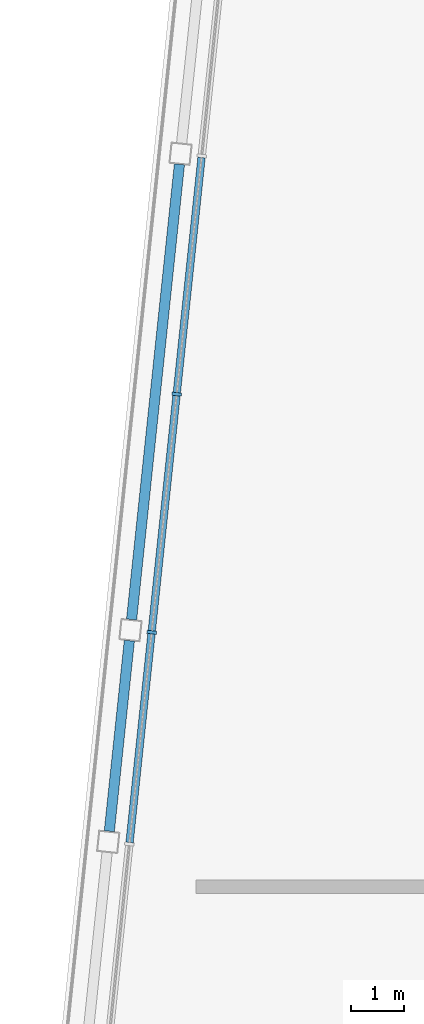
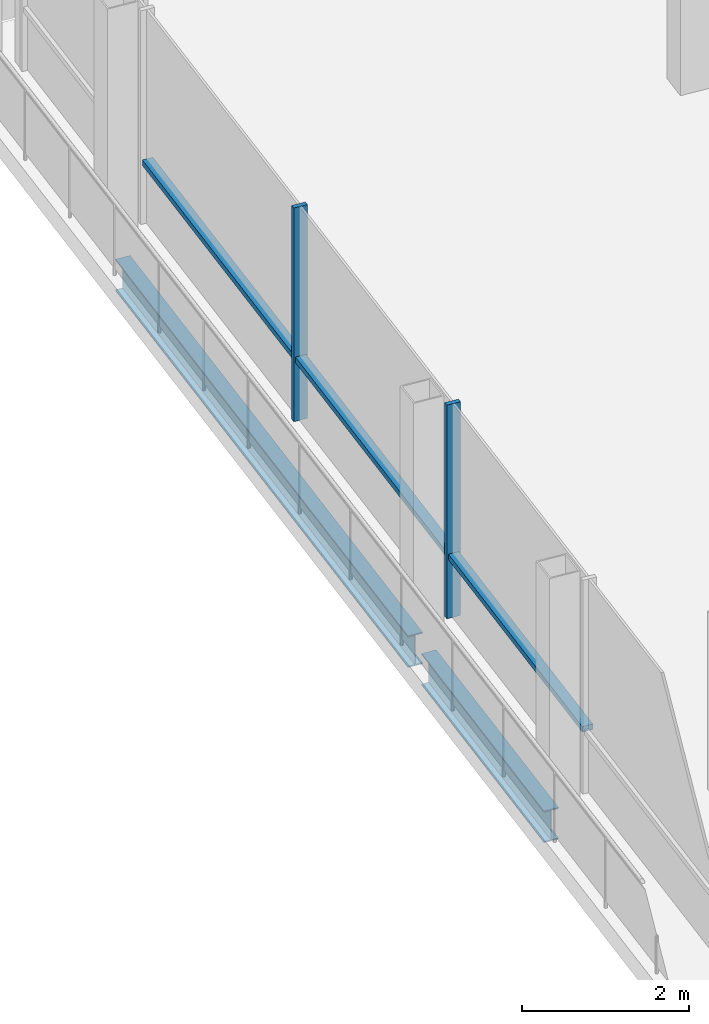
# One storey, part 4 of 15: 5 members, 2 beams, 1 element without a shape of its own.
"""IFC4 building model written with IfcOpenShell, lengths in metres."""

from ifc_helpers import new_model, si_unit, direction, frame, origin, origin_2d, place, context, subcontext, project, spatial, rectangle, i_section, extrude, material, material_profile, profile_set, type_object, element, aggregate, save


model = new_model("IFC4")

# Units and contexts
model_context = context("Model", 3, precision=1e-05, world=origin(), true_north=direction((0.0, 1.0)))
body_context = subcontext(model_context, "Body", "Model", "MODEL_VIEW")
ifc_project = project(units=[si_unit("LENGTHUNIT", "METRE"), si_unit("AREAUNIT", "SQUARE_METRE"), si_unit("VOLUMEUNIT", "CUBIC_METRE"), si_unit("PLANEANGLEUNIT", "RADIAN"), si_unit("MASSUNIT", "GRAM", prefix="KILO")], contexts=[model_context])

# Site, building, storey
site_placement = place(None, origin())
site = spatial("IfcSite", under=ifc_project, at=site_placement, CompositionType="ELEMENT")
building_placement = place(site_placement, origin())
building = spatial("IfcBuilding", under=site, at=building_placement, Name="Vidyagriha Tower", CompositionType="ELEMENT")
storey_placement = place(building_placement, frame((0.0, 0.0, 291.5)))
storey = spatial("IfcBuildingStorey", under=building, at=storey_placement, Name="L75", CompositionType="ELEMENT", Elevation=291.5)

# Beams
ifc_material_1 = material(Name="Steel ASTM A992 Grade 50", Category="steel")
ifc_material_profile_1 = material_profile(ifc_material_1, i_section(OverallWidth=0.19189453125, OverallDepth=0.46240234375, WebThickness=0.010498046875, FlangeThickness=0.017578125, at=origin_2d()), Name="W18X60")
ifc_profile_set_1 = profile_set([ifc_material_profile_1], Name="Steel ASTM A992 Grade 50")
beam_type = type_object("IfcBeamType", Name="Edge beam W18X60", PredefinedType="SPANDREL", material=ifc_profile_set_1)
beam_1_placement = place(storey_placement, frame((-23.628173828125, 2.444091796875, -0.51123046875), z_axis=(0.104578872801, 0.994516595821, 0.0), x_axis=(-0.994516595821, 0.104578872801, 0.0)))
element("IfcBeam", 1, at=beam_1_placement, inside=storey, type_object=beam_type, Name="st-beam-L75-W10", PredefinedType="SPANDREL", context=body_context, shape_type="SweptSolid", body=[
    extrude(i_section(OverallWidth=0.19189453125, OverallDepth=0.46240234375, WebThickness=0.010498046875, FlangeThickness=0.017578125, at=origin_2d()), origin(), (0.0, 0.0, 1.0), 3.599853515625),
])
beam_2_placement = place(storey_placement, frame((-23.2099609375, 6.422119140625, -0.51123046875), z_axis=(0.104528138401, 0.994521929513, 0.0), x_axis=(-0.994521929513, 0.104528138401, 0.0)))
element("IfcBeam", 2, at=beam_2_placement, inside=storey, type_object=beam_type, Name="st-beam-L75-W11", PredefinedType="SPANDREL", context=body_context, shape_type="SweptSolid", body=[
    extrude(i_section(OverallWidth=0.19189453125, OverallDepth=0.46240234375, WebThickness=0.010498046875, FlangeThickness=0.017578125, at=origin_2d()), origin(), (0.0, 0.0, 1.0), 8.599853515625),
])

# Curtain wall, members
ifc_material_2 = material(Name="Aluminium and glass curtain wall", Category="aluminium")
curtain_wall_type = type_object("IfcCurtainWallType", Name="Lantern glazing wall", PredefinedType="USERDEFINED", material=ifc_material_2)
curtain_wall_placement = place(storey_placement, origin())
curtain_wall = element("IfcCurtainWall", 3, at=curtain_wall_placement, inside=storey, type_object=curtain_wall_type, Name="CW4 lantern glazing", ObjectType="STICK GLAZING", PredefinedType="USERDEFINED")
ifc_material_3 = material(Name="Aluminium black anodised", Category="aluminium")
ifc_material_profile_2 = material_profile(ifc_material_3, rectangle(XDim=0.179931640625, YDim=0.06005859375, at=origin_2d()), Name="Mullion 60x180 black aluminium")
ifc_profile_set_2 = profile_set([ifc_material_profile_2], Name="Aluminium black anodised")
member_type_1 = type_object("IfcMemberType", Name="Mullion 60x180 black aluminium", PredefinedType="MULLION", material=ifc_profile_set_2)
member_1_placement = place(storey_placement, frame((-22.36279296875, 10.656494140625, 0.0), z_axis=(0.0, 0.0, 1.0), x_axis=(0.994522018715, -0.104527289697, 0.0)))
member_1 = element("IfcMember", 4, at=member_1_placement, type_object=member_type_1, Name="CW4 mullion 3", PredefinedType="MULLION", context=body_context, shape_type="SweptSolid", body=[
    extrude(rectangle(XDim=0.179931640625, YDim=0.06005859375, at=origin_2d()), origin(), (0.0, 0.0, 1.0), 3.1201171875),
])
member_2_placement = place(storey_placement, frame((-22.8330078125, 6.181396484375, 0.0), z_axis=(0.0, 0.0, 1.0), x_axis=(0.994522018715, -0.104527289697, 0.0)))
member_2 = element("IfcMember", 5, at=member_2_placement, type_object=member_type_1, Name="CW4 mullion 4", PredefinedType="MULLION", context=body_context, shape_type="SweptSolid", body=[
    extrude(rectangle(XDim=0.179931640625, YDim=0.06005859375, at=origin_2d()), origin(), (0.0, 0.0, 1.0), 3.1201171875),
])
ifc_material_4 = material(Name="Aluminium black anodised", Category="aluminium")
ifc_material_profile_3 = material_profile(ifc_material_4, rectangle(XDim=0.139892578125, YDim=0.080078125, at=origin_2d()), Name="Transom 80x140 black aluminium")
ifc_profile_set_3 = profile_set([ifc_material_profile_3], Name="Aluminium black anodised")
member_type_2 = type_object("IfcMemberType", Name="Transom 80x140 black aluminium", PredefinedType="USERDEFINED", material=ifc_profile_set_3)
member_3_placement = place(storey_placement, frame((-21.8955078125, 15.10205078125, 0.89990234375), z_axis=(-0.104533075393, -0.994521410604, 0.0), x_axis=(0.994521410604, -0.104533075393, 0.0)))
member_3 = element("IfcMember", 6, at=member_3_placement, type_object=member_type_2, Name="CW4 transom 2.1", ObjectType="TRANSOM", PredefinedType="USERDEFINED", context=body_context, shape_type="SweptSolid", body=[
    extrude(rectangle(XDim=0.139892578125, YDim=0.080078125, at=origin_2d()), origin(), (0.0, 0.0, 1.0), 4.43994140625),
])
member_4_placement = place(storey_placement, frame((-22.365966796875, 10.626708984375, 0.89990234375), z_axis=(-0.104478687325, -0.994527125771, 0.0), x_axis=(0.994527125771, -0.104478687325, 0.0)))
member_4 = element("IfcMember", 7, at=member_4_placement, type_object=member_type_2, Name="CW4 transom 3.1", ObjectType="TRANSOM", PredefinedType="USERDEFINED", context=body_context, shape_type="SweptSolid", body=[
    extrude(rectangle(XDim=0.139892578125, YDim=0.080078125, at=origin_2d()), origin(), (0.0, 0.0, 1.0), 4.43994140625),
])
member_5_placement = place(storey_placement, frame((-22.836181640625, 6.1513671875, 0.89990234375), z_axis=(-0.104539626027, -0.994520722052, 0.0), x_axis=(0.994520722052, -0.104539626027, 0.0)))
member_5 = element("IfcMember", 8, at=member_5_placement, type_object=member_type_2, Name="CW4 transom 4.1", ObjectType="TRANSOM", PredefinedType="USERDEFINED", context=body_context, shape_type="SweptSolid", body=[
    extrude(rectangle(XDim=0.139892578125, YDim=0.080078125, at=origin_2d()), origin(), (0.0, 0.0, 1.0), 3.939697265625),
])
aggregate(curtain_wall, [member_1, member_2, member_3, member_4, member_5])

save(model, "model.ifc")
